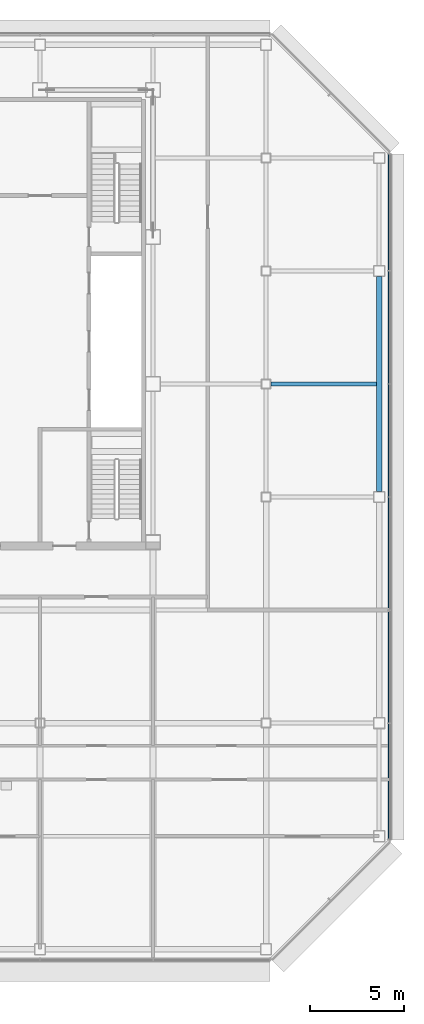
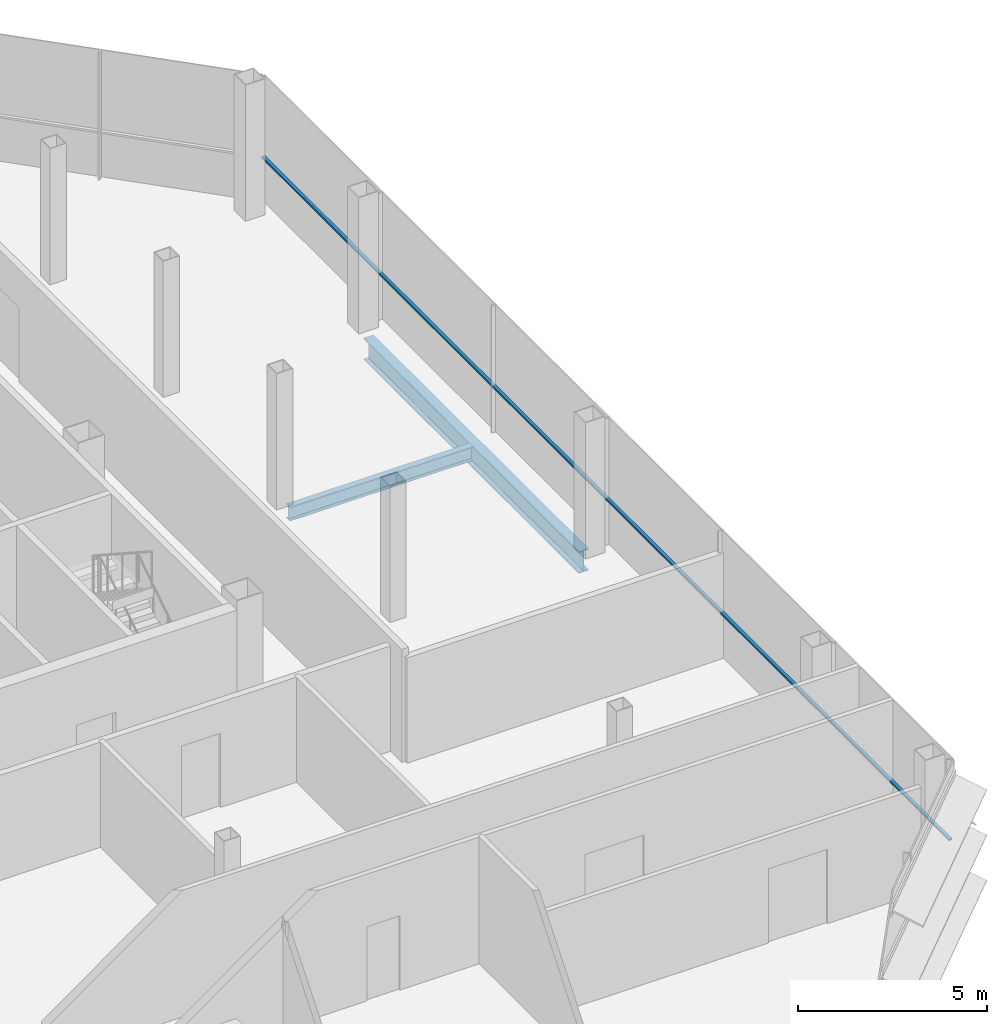
# One storey, part 18 of 29: 2 beams, 1 member, 1 element without a shape of its own.
"""IFC4 building model written with IfcOpenShell, lengths in metres."""

from ifc_helpers import new_model, si_unit, direction, frame, origin, origin_2d, place, context, subcontext, project, spatial, rectangle, i_section, extrude, material, material_profile, profile_set, type_object, element, aggregate, save


model = new_model("IFC4")

# Units and contexts
model_context = context("Model", 3, precision=1e-05, world=origin(), true_north=direction((0.0, 1.0)))
body_context = subcontext(model_context, "Body", "Model", "MODEL_VIEW")
ifc_project = project(units=[si_unit("LENGTHUNIT", "METRE"), si_unit("AREAUNIT", "SQUARE_METRE"), si_unit("VOLUMEUNIT", "CUBIC_METRE"), si_unit("PLANEANGLEUNIT", "RADIAN"), si_unit("MASSUNIT", "GRAM", prefix="KILO")], contexts=[model_context])

# Site, building, storey
site_placement = place(None, origin())
site = spatial("IfcSite", under=ifc_project, at=site_placement, CompositionType="ELEMENT")
building_placement = place(site_placement, origin())
building = spatial("IfcBuilding", under=site, at=building_placement, Name="Sorahane Residences", CompositionType="ELEMENT")
storey_placement = place(building_placement, frame((0.0, 0.0, 277.39990234375)))
storey = spatial("IfcBuildingStorey", under=building, at=storey_placement, Name="L66", CompositionType="ELEMENT", Elevation=277.39990234375)

# Curtain wall, member
ifc_material_1 = material(Name="Dark low-e glass and black anodised aluminium", Category="aluminium")
curtain_wall_type = type_object("IfcCurtainWallType", Name="Curtain wall CW-1 Typical unitised wall", PredefinedType="NOTDEFINED", material=ifc_material_1)
curtain_wall_placement = place(storey_placement, origin())
curtain_wall = element("IfcCurtainWall", 1, at=curtain_wall_placement, inside=storey, type_object=curtain_wall_type, Name="CW-1 curtain wall L66 E1", PredefinedType="NOTDEFINED")
ifc_material_2 = material(Name="Black anodised aluminium", Category="aluminium")
ifc_material_profile_1 = material_profile(ifc_material_2, rectangle(XDim=0.10009765625, YDim=0.06005859375, at=origin_2d()), Name="Curtain wall transom CW-1 black anodised aluminium 60x100")
ifc_profile_set_1 = profile_set([ifc_material_profile_1], Name="Black anodised aluminium")
member_type = type_object("IfcMemberType", Name="Curtain wall transom CW-1 black anodised aluminium 60x100", PredefinedType="USERDEFINED", material=ifc_profile_set_1)
member_placement = place(storey_placement, frame((54.530029296875, 5.801513671875, 1.5), z_axis=(0.0, 1.0, 0.0), x_axis=(-1.0, 0.0, 0.0)))
member = element("IfcMember", 2, at=member_placement, type_object=member_type, Name="CW-1 transom L66 E1", ObjectType="TRANSOM", PredefinedType="USERDEFINED", context=body_context, shape_type="SweptSolid", body=[
    extrude(rectangle(XDim=0.10009765625, YDim=0.06005859375, at=origin_2d()), origin(), (0.0, 0.0, 1.0), 36.39697265625),
])
aggregate(curtain_wall, [member])

# Beams
ifc_material_3 = material(Name="Steel Q355B", Category="steel")
ifc_material_profile_2 = material_profile(ifc_material_3, i_section(OverallWidth=0.199951171875, OverallDepth=0.449951171875, WebThickness=0.009033203125, FlangeThickness=0.013916015625, FilletRadius=0.02001953125, at=origin_2d()), Name="HN 450x200x9x14")
ifc_profile_set_2 = profile_set([ifc_material_profile_2], Name="Steel Q355B")
beam_type_1 = type_object("IfcBeamType", Name="Steel floor beam HN 450x200x9x14 Q355B", PredefinedType="BEAM", material=ifc_profile_set_2)
beam_1_placement = place(storey_placement, frame((48.25, 30.0, -0.40478515625), z_axis=(1.0, 0.0, 0.0), x_axis=(0.0, 1.0, 0.0)))
element("IfcBeam", 3, at=beam_1_placement, inside=storey, type_object=beam_type_1, Name="Beam L66 088", PredefinedType="BEAM", context=body_context, shape_type="SweptSolid", body=[
    extrude(i_section(OverallWidth=0.199951171875, OverallDepth=0.449951171875, WebThickness=0.009033203125, FlangeThickness=0.013916015625, FilletRadius=0.02001953125, at=origin_2d()), origin(), (0.0, 0.0, 1.0), 5.60009765625),
])
ifc_material_4 = material(Name="Steel Q355B", Category="steel")
ifc_material_profile_3 = material_profile(ifc_material_4, i_section(OverallWidth=0.300048828125, OverallDepth=0.699951171875, WebThickness=0.012939453125, FlangeThickness=0.02392578125, FilletRadius=0.028076171875, at=origin_2d()), Name="HN 700x300x13x24")
ifc_profile_set_3 = profile_set([ifc_material_profile_3], Name="Steel Q355B")
beam_type_2 = type_object("IfcBeamType", Name="Steel floor beam HN 700x300x13x24 Q355B", PredefinedType="BEAM", material=ifc_profile_set_3)
beam_2_placement = place(storey_placement, frame((54.0, 24.300048828125, -0.52978515625), z_axis=(0.0, 1.0, 0.0), x_axis=(-1.0, 0.0, 0.0)))
element("IfcBeam", 4, at=beam_2_placement, inside=storey, type_object=beam_type_2, Name="Beam L66 066", PredefinedType="BEAM", context=body_context, shape_type="SweptSolid", body=[
    extrude(i_section(OverallWidth=0.300048828125, OverallDepth=0.699951171875, WebThickness=0.012939453125, FlangeThickness=0.02392578125, FilletRadius=0.028076171875, at=origin_2d()), origin(), (0.0, 0.0, 1.0), 11.39990234375),
])

save(model, "model.ifc")
